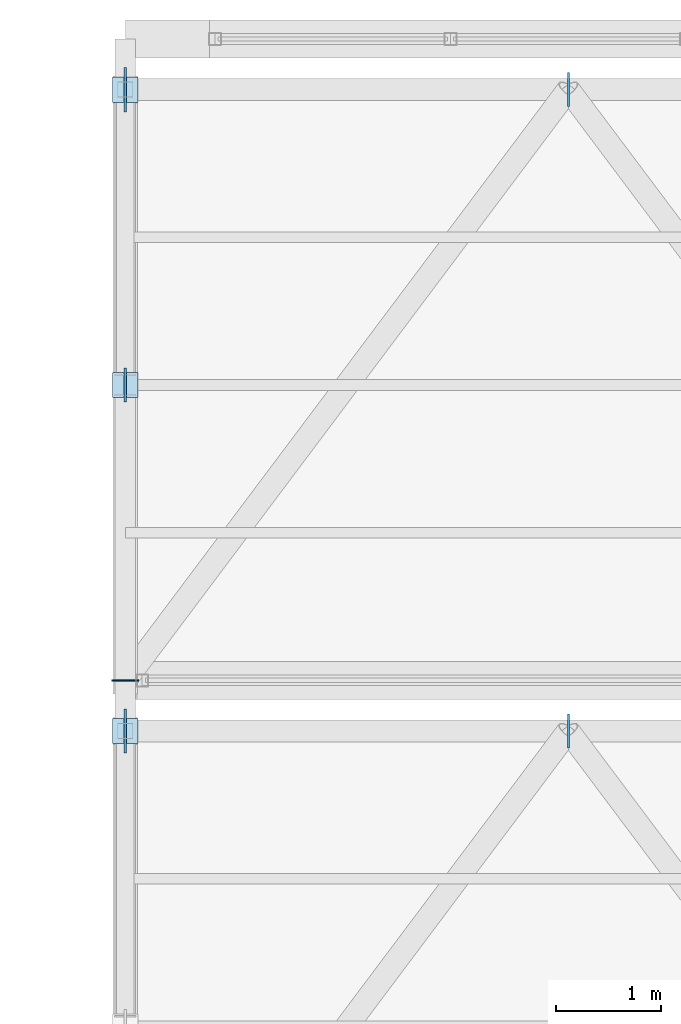
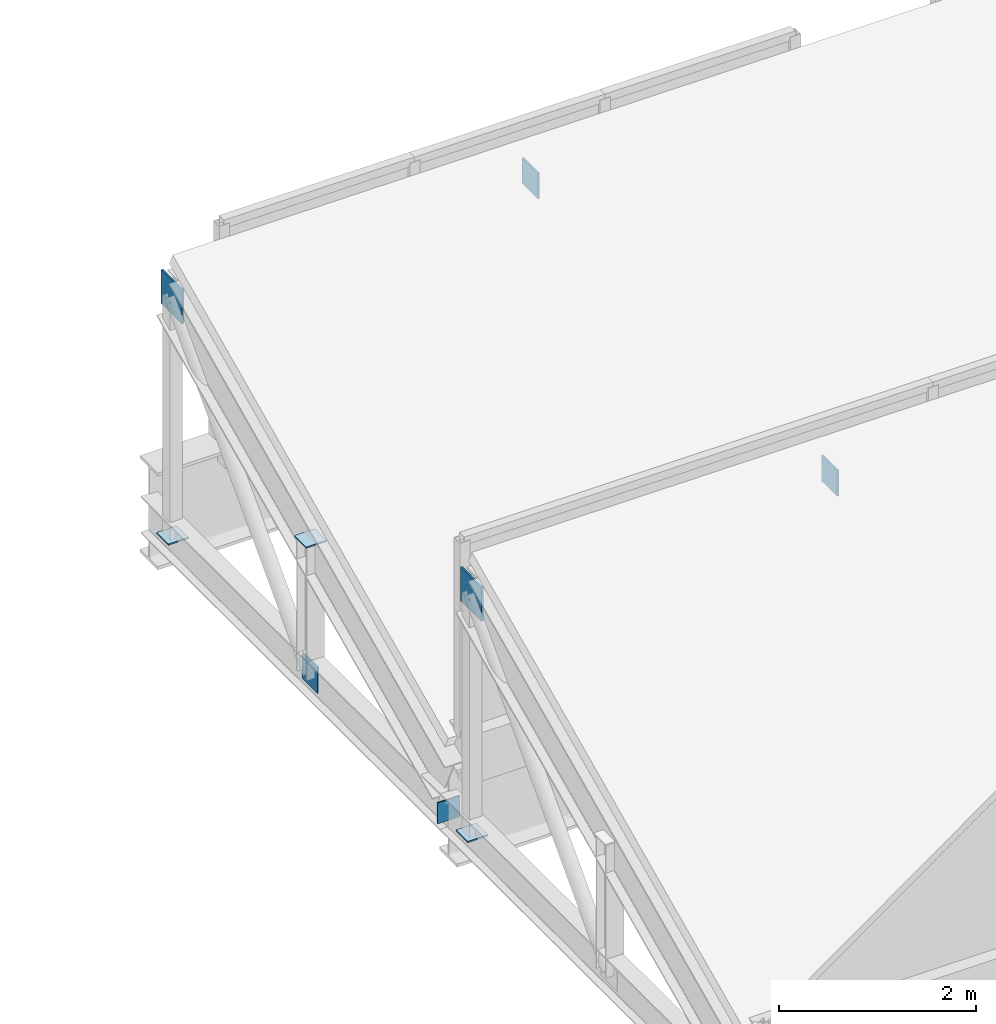
# One storey, part 179 of 217: 9 plates.
"""IFC4 building model written with IfcOpenShell, lengths in metres."""

from ifc_helpers import new_model, si_unit, direction, frame, origin, origin_2d, place, context, subcontext, project, spatial, rectangle, extrude, material, layer, layer_set, type_object, element, save


model = new_model("IFC4")

# Units and contexts
model_context = context("Model", 3, precision=1e-05, world=origin(), true_north=direction((0.0, 1.0)))
body_context = subcontext(model_context, "Body", "Model", "MODEL_VIEW")
ifc_project = project(units=[si_unit("LENGTHUNIT", "METRE"), si_unit("AREAUNIT", "SQUARE_METRE"), si_unit("VOLUMEUNIT", "CUBIC_METRE"), si_unit("PLANEANGLEUNIT", "RADIAN"), si_unit("MASSUNIT", "GRAM", prefix="KILO")], contexts=[model_context])

# Site, building, storey
site_placement = place(None, origin())
site = spatial("IfcSite", under=ifc_project, at=site_placement, CompositionType="ELEMENT")
building_placement = place(site_placement, origin())
building = spatial("IfcBuilding", under=site, at=building_placement, Name="Zuvorla Pavilion Media Centre", CompositionType="ELEMENT")
storey_placement = place(building_placement, frame((0.0, 0.0, 9.60009765625)))
storey = spatial("IfcBuildingStorey", under=building, at=storey_placement, Name="L02", CompositionType="ELEMENT", Elevation=9.60009765625)

# Plates
ifc_material = material(Name="Steel S355", Category="steel")
ifc_layer_1 = layer(ifc_material, 0.01611328125)
ifc_layer_set_1 = layer_set([ifc_layer_1], Name="Steel S355")
plate_type_1 = type_object("IfcPlateType", Name="PLT-CAP-16", PredefinedType="USERDEFINED", material=ifc_layer_set_1)
plate_placement = place(storey_placement, frame((66.800048828125, 113.919921875, -1.01025390625), z_axis=(0.0, 0.0, 1.0), x_axis=(1.0, 0.0, 0.0)))
element("IfcPlate", 1, at=plate_placement, inside=storey, type_object=plate_type_1, Name="L02 cap plate CP16 74", ObjectType="CAP_PLATE", PredefinedType="USERDEFINED", context=body_context, shape_type="SweptSolid", body=[
    extrude(rectangle(XDim=0.260009765625, YDim=0.01611328125, at=origin_2d()), origin(), (0.0, 0.0, 1.0), 0.260009765625),
])
for number, where, z_axis, x_axis, name in (
    (2, (66.800048828125, 113.43994140625, -0.88818359375), (0.0, 0.0, 1.0), (1.0, 0.0, 0.0), "L02 cap plate CP16 322"),
    (3, (66.800048828125, 119.52001953125, -0.88818359375), (0.0, 0.0, 1.0), (1.0, 0.0, 0.0), "L02 cap plate CP16 357"),
    (4, (66.800048828125, 116.719970703125, 0.771728515625), (0.0, 0.0, 1.0), (1.0, 0.0, 0.0), "L02 cap plate CP16 359"),
):
    element("IfcPlate", number, at=place(storey_placement, frame(where, z_axis=z_axis, x_axis=x_axis)), inside=storey, type_object=plate_type_1, Name=name, ObjectType="CAP_PLATE", PredefinedType="USERDEFINED", context=body_context, shape_type="SweptSolid", body=[
        extrude(rectangle(XDim=0.239990234375, YDim=0.239990234375, at=origin_2d()), origin(), (0.0, 0.0, 1.0), 0.01611328125),
    ])
ifc_layer_2 = layer(ifc_material, 0.02001953125)
ifc_layer_set_2 = layer_set([ifc_layer_2], Name="Steel S355")
plate_type_2 = type_object("IfcPlateType", Name="PLT-GUS-20", PredefinedType="USERDEFINED", material=ifc_layer_set_2)
for number, where, z_axis, x_axis, name in (
    (5, (71.0, 113.43994140625, 1.919921875), (0.0, 0.0, 1.0), (1.0, 0.0, 0.0), "L02 gusset plate GP20 349"),
    (6, (66.800048828125, 116.719970703125, -1.0400390625), (0.0, 0.0, 1.0), (1.0, 0.0, 0.0), "L02 gusset plate GP20 358"),
    (7, (71.0, 119.52001953125, 1.919921875), (0.0, 0.0, 1.0), (1.0, 0.0, 0.0), "L02 gusset plate GP20 384"),
):
    element("IfcPlate", number, at=place(storey_placement, frame(where, z_axis=z_axis, x_axis=x_axis)), inside=storey, type_object=plate_type_2, Name=name, ObjectType="GUSSET_PLATE", PredefinedType="USERDEFINED", context=body_context, shape_type="SweptSolid", body=[
        extrude(rectangle(XDim=0.02001953125, YDim=0.320068359375, at=origin_2d()), origin(), (0.0, 0.0, 1.0), 0.320068359375),
    ])
ifc_layer_3 = layer(ifc_material, 0.02490234375)
ifc_layer_set_3 = layer_set([ifc_layer_3], Name="Steel S355")
plate_type_3 = type_object("IfcPlateType", Name="PLT-GUS-25", PredefinedType="USERDEFINED", material=ifc_layer_set_3)
for number, where, z_axis, x_axis, name in (
    (8, (66.800048828125, 113.43994140625, 1.87353515625), (0.0, 0.0, 1.0), (1.0, 0.0, 0.0), "L02 gusset plate GP25 55"),
    (9, (66.800048828125, 119.52001953125, 1.87353515625), (0.0, 0.0, 1.0), (1.0, 0.0, 0.0), "L02 gusset plate GP25 73"),
):
    element("IfcPlate", number, at=place(storey_placement, frame(where, z_axis=z_axis, x_axis=x_axis)), inside=storey, type_object=plate_type_3, Name=name, ObjectType="GUSSET_PLATE", PredefinedType="USERDEFINED", context=body_context, shape_type="SweptSolid", body=[
        extrude(rectangle(XDim=0.02490234375, YDim=0.419921875, at=origin_2d()), origin(), (0.0, 0.0, 1.0), 0.419921875),
    ])

save(model, "model.ifc")
